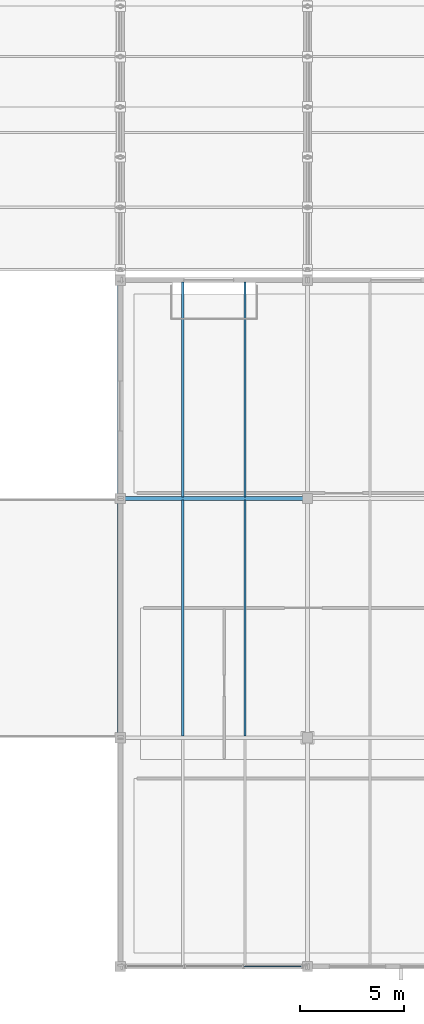
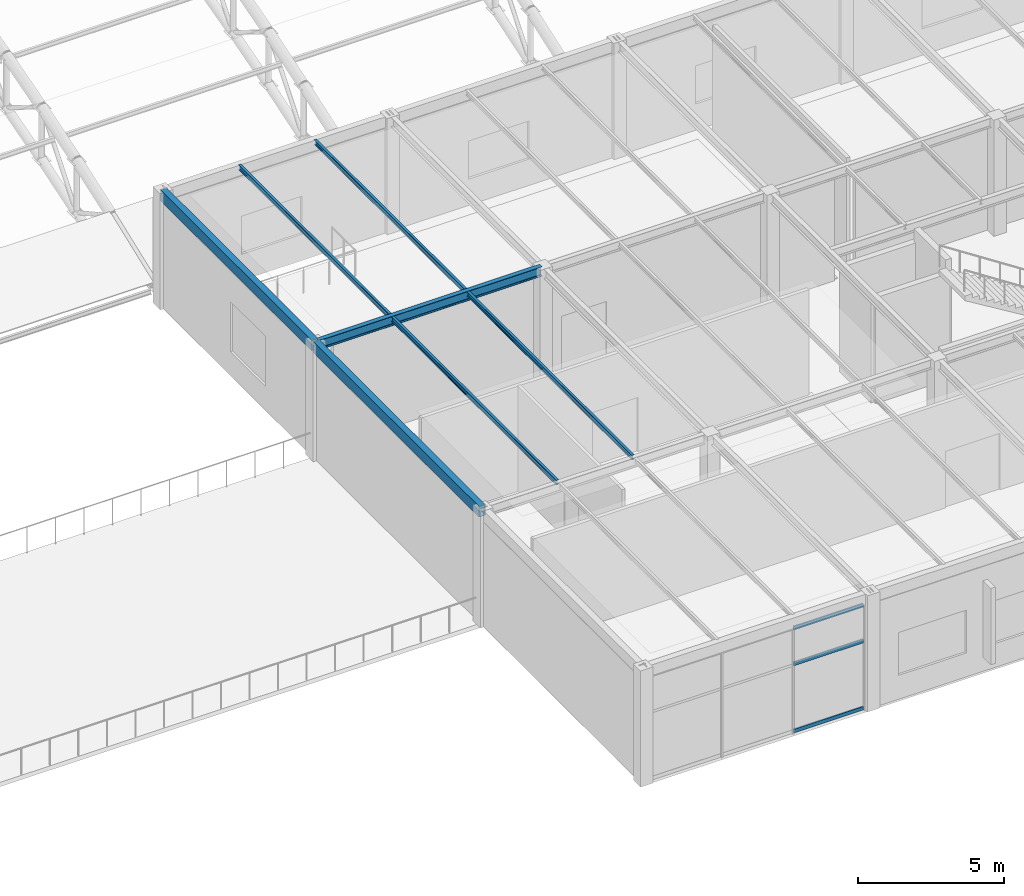
# One storey, part 61 of 195: 7 beams, 3 members, 1 element without a shape of its own.
"""IFC4 building model written with IfcOpenShell, lengths in metres."""

from ifc_helpers import new_model, si_unit, direction, frame, origin, origin_2d, place, context, subcontext, project, spatial, hollow_rectangle, i_section, extrude, material, layer, layer_set, material_profile, profile_set, type_object, element, aggregate, save


model = new_model("IFC4")

# Units and contexts
model_context = context("Model", 3, precision=1e-05, world=origin(), true_north=direction((0.0, 1.0)))
body_context = subcontext(model_context, "Body", "Model", "MODEL_VIEW")
ifc_project = project(units=[si_unit("LENGTHUNIT", "METRE"), si_unit("AREAUNIT", "SQUARE_METRE"), si_unit("VOLUMEUNIT", "CUBIC_METRE"), si_unit("PLANEANGLEUNIT", "RADIAN"), si_unit("MASSUNIT", "GRAM", prefix="KILO")], contexts=[model_context])

# Site, building, storey
site_placement = place(None, origin())
site = spatial("IfcSite", under=ifc_project, at=site_placement, CompositionType="ELEMENT")
building_placement = place(site_placement, origin())
building = spatial("IfcBuilding", under=site, at=building_placement, Name="Marlcrest Central Station", CompositionType="ELEMENT")
storey_placement = place(building_placement, frame((0.0, 0.0, 9.800048828125)))
storey = spatial("IfcBuildingStorey", under=building, at=storey_placement, Name="L02", CompositionType="ELEMENT", Elevation=9.800048828125)

# Beams
ifc_material_1 = material(Name="Steel S355", Category="steel")
ifc_material_profile_1 = material_profile(ifc_material_1, i_section(OverallWidth=0.179931640625, OverallDepth=0.39990234375, WebThickness=0.008544921875, FlangeThickness=0.013427734375, FilletRadius=0.02099609375, at=origin_2d()), Name="IPE 400")
ifc_profile_set_1 = profile_set([ifc_material_profile_1], Name="Steel S355")
beam_type_1 = type_object("IfcBeamType", Name="BM-03", PredefinedType="BEAM", material=ifc_profile_set_1)
beam_1_placement = place(storey_placement, frame((153.06005859375, 22.5, 4.669921875), z_axis=(1.0, 0.0, 0.0), x_axis=(0.0, 1.0, 0.0)))
element("IfcBeam", 1, at=beam_1_placement, inside=storey, type_object=beam_type_1, Name="bm-BM-03-L02-00967", PredefinedType="BEAM", context=body_context, shape_type="SweptSolid", body=[
    extrude(i_section(OverallWidth=0.179931640625, OverallDepth=0.39990234375, WebThickness=0.008544921875, FlangeThickness=0.013427734375, FilletRadius=0.02099609375, at=origin_2d()), origin(), (0.0, 0.0, 1.0), 8.8798828125),
])
ifc_material_profile_2 = material_profile(ifc_material_1, i_section(OverallWidth=0.10009765625, OverallDepth=0.199951171875, WebThickness=0.005615234375, FlangeThickness=0.008544921875, FilletRadius=0.011962890625, at=origin_2d()), Name="IPE 200")
ifc_profile_set_2 = profile_set([ifc_material_profile_2], Name="Steel S355")
beam_type_2 = type_object("IfcBeamType", Name="JS-01", PredefinedType="JOIST", material=ifc_profile_set_2)
beam_2_placement = place(storey_placement, frame((156.0, 11.0830078125, 4.77001953125), z_axis=(0.0, 1.0, 0.0), x_axis=(-1.0, 0.0, 0.0)))
element("IfcBeam", 2, at=beam_2_placement, inside=storey, type_object=beam_type_2, Name="bm-JS-01-L02-01001", PredefinedType="JOIST", context=body_context, shape_type="SweptSolid", body=[
    extrude(i_section(OverallWidth=0.10009765625, OverallDepth=0.199951171875, WebThickness=0.005615234375, FlangeThickness=0.008544921875, FilletRadius=0.011962890625, at=origin_2d()), origin(), (0.0, 0.0, 1.0), 11.333984375),
])
beam_3_placement = place(storey_placement, frame((156.0, 22.5830078125, 4.77001953125), z_axis=(0.0, 1.0, 0.0), x_axis=(-1.0, 0.0, 0.0)))
element("IfcBeam", 3, at=beam_3_placement, inside=storey, type_object=beam_type_2, Name="bm-JS-01-L02-01002", PredefinedType="JOIST", context=body_context, shape_type="SweptSolid", body=[
    extrude(i_section(OverallWidth=0.10009765625, OverallDepth=0.199951171875, WebThickness=0.005615234375, FlangeThickness=0.008544921875, FilletRadius=0.011962890625, at=origin_2d()), origin(), (0.0, 0.0, 1.0), 10.333984375),
])
beam_4_placement = place(storey_placement, frame((159.0, 11.0830078125, 4.77001953125), z_axis=(0.0, 1.0, 0.0), x_axis=(-1.0, 0.0, 0.0)))
element("IfcBeam", 4, at=beam_4_placement, inside=storey, type_object=beam_type_2, Name="bm-JS-01-L02-01004", PredefinedType="JOIST", context=body_context, shape_type="SweptSolid", body=[
    extrude(i_section(OverallWidth=0.10009765625, OverallDepth=0.199951171875, WebThickness=0.005615234375, FlangeThickness=0.008544921875, FilletRadius=0.011962890625, at=origin_2d()), origin(), (0.0, 0.0, 1.0), 11.333984375),
])
beam_5_placement = place(storey_placement, frame((159.0, 22.5830078125, 4.77001953125), z_axis=(0.0, 1.0, 0.0), x_axis=(-1.0, 0.0, 0.0)))
element("IfcBeam", 5, at=beam_5_placement, inside=storey, type_object=beam_type_2, Name="bm-JS-01-L02-01005", PredefinedType="JOIST", context=body_context, shape_type="SweptSolid", body=[
    extrude(i_section(OverallWidth=0.10009765625, OverallDepth=0.199951171875, WebThickness=0.005615234375, FlangeThickness=0.008544921875, FilletRadius=0.011962890625, at=origin_2d()), origin(), (0.0, 0.0, 1.0), 10.333984375),
])
ifc_material_profile_3 = material_profile(ifc_material_1, hollow_rectangle(XDim=0.25, YDim=0.449951171875, WallThickness=0.01611328125, at=origin_2d()), Name="RHS 450x250x16")
ifc_profile_set_3 = profile_set([ifc_material_profile_3], Name="Steel S355")
beam_type_3 = type_object("IfcBeamType", Name="SP-02", PredefinedType="SPANDREL", material=ifc_profile_set_3)
beam_6_placement = place(storey_placement, frame((153.0, 11.06005859375, 4.64501953125), z_axis=(0.0, 1.0, 0.0), x_axis=(-1.0, 0.0, 0.0)))
element("IfcBeam", 6, at=beam_6_placement, inside=storey, type_object=beam_type_3, Name="bm-SP-02-L02-00980", PredefinedType="SPANDREL", context=body_context, shape_type="SweptSolid", body=[
    extrude(hollow_rectangle(XDim=0.25, YDim=0.449951171875, WallThickness=0.01611328125, at=origin_2d()), origin(), (0.0, 0.0, 1.0), 11.3798828125),
])
beam_7_placement = place(storey_placement, frame((153.0, 22.56005859375, 4.64501953125), z_axis=(0.0, 1.0, 0.0), x_axis=(-1.0, 0.0, 0.0)))
element("IfcBeam", 7, at=beam_7_placement, inside=storey, type_object=beam_type_3, Name="bm-SP-02-L02-00981", PredefinedType="SPANDREL", context=body_context, shape_type="SweptSolid", body=[
    extrude(hollow_rectangle(XDim=0.25, YDim=0.449951171875, WallThickness=0.01611328125, at=origin_2d()), origin(), (0.0, 0.0, 1.0), 10.3798828125),
])

# Curtain wall, members
ifc_material_2 = material(Name="Anodised aluminium and hurricane laminated glass", Category="aluminium")
ifc_layer = layer(ifc_material_2, 0.179931640625, Name="CW-S1")
ifc_layer_set = layer_set([ifc_layer], Name="Anodised aluminium and hurricane laminated glass")
curtain_wall_type = type_object("IfcCurtainWallType", Name="CW-S1", PredefinedType="USERDEFINED", material=ifc_layer_set)
curtain_wall_placement = place(storey_placement, origin())
curtain_wall = element("IfcCurtainWall", 8, at=curtain_wall_placement, inside=storey, type_object=curtain_wall_type, Name="cw-L02-0153", ObjectType="STICK_CURTAIN_WALL", PredefinedType="USERDEFINED")
ifc_material_3 = material(Name="Anodised aluminium 6063-T6", Category="aluminium")
ifc_material_profile_4 = material_profile(ifc_material_3, hollow_rectangle(XDim=0.06005859375, YDim=0.14990234375, WallThickness=0.00390625, at=origin_2d()), Name="AA-RHS 150x60x4")
ifc_profile_set_4 = profile_set([ifc_material_profile_4], Name="Anodised aluminium 6063-T6")
member_type = type_object("IfcMemberType", Name="TR-01", PredefinedType="USERDEFINED", material=ifc_profile_set_4)
member_1_placement = place(storey_placement, frame((161.717041015625, 0.0, 0.0400390625), z_axis=(-1.0, 0.0, 0.0), x_axis=(0.0, -1.0, 0.0)))
member_1 = element("IfcMember", 9, at=member_1_placement, type_object=member_type, Name="cw-L02-0153-tr-0-sill", ObjectType="TRANSOM", PredefinedType="USERDEFINED", context=body_context, shape_type="SweptSolid", body=[
    extrude(hollow_rectangle(XDim=0.06005859375, YDim=0.14990234375, WallThickness=0.00390625, at=origin_2d()), origin(), (0.0, 0.0, 1.0), 2.767333984375),
])
member_2_placement = place(storey_placement, frame((161.717041015625, 0.0, 2.85400390625), z_axis=(-1.0, 0.0, 0.0), x_axis=(0.0, -1.0, 0.0)))
member_2 = element("IfcMember", 10, at=member_2_placement, type_object=member_type, Name="cw-L02-0153-tr-0-mid", ObjectType="TRANSOM", PredefinedType="USERDEFINED", context=body_context, shape_type="SweptSolid", body=[
    extrude(hollow_rectangle(XDim=0.06005859375, YDim=0.14990234375, WallThickness=0.00390625, at=origin_2d()), origin(), (0.0, 0.0, 1.0), 2.767333984375),
])
member_3_placement = place(storey_placement, frame((161.717041015625, 0.0, 4.349853515625), z_axis=(-1.0, 0.0, 0.0), x_axis=(0.0, -1.0, 0.0)))
member_3 = element("IfcMember", 11, at=member_3_placement, type_object=member_type, Name="cw-L02-0153-tr-0-head", ObjectType="TRANSOM", PredefinedType="USERDEFINED", context=body_context, shape_type="SweptSolid", body=[
    extrude(hollow_rectangle(XDim=0.06005859375, YDim=0.14990234375, WallThickness=0.00390625, at=origin_2d()), origin(), (0.0, 0.0, 1.0), 2.767333984375),
])
aggregate(curtain_wall, [member_1, member_2, member_3])

save(model, "model.ifc")
